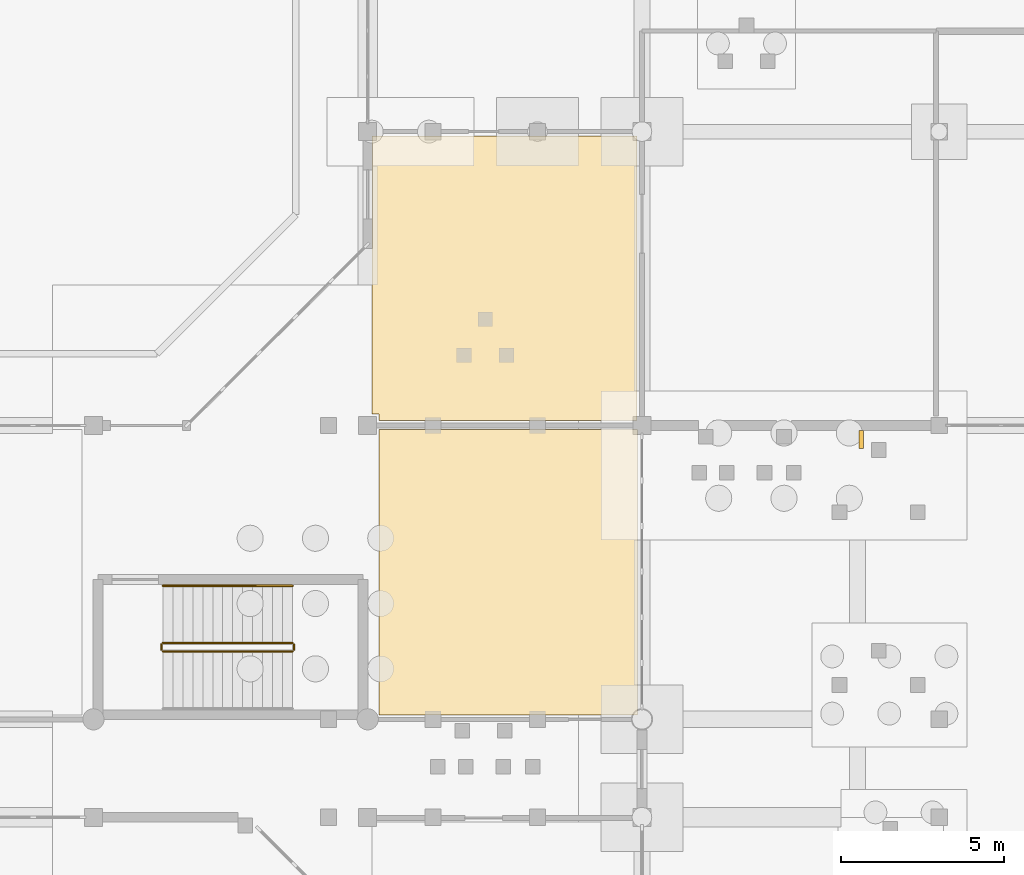
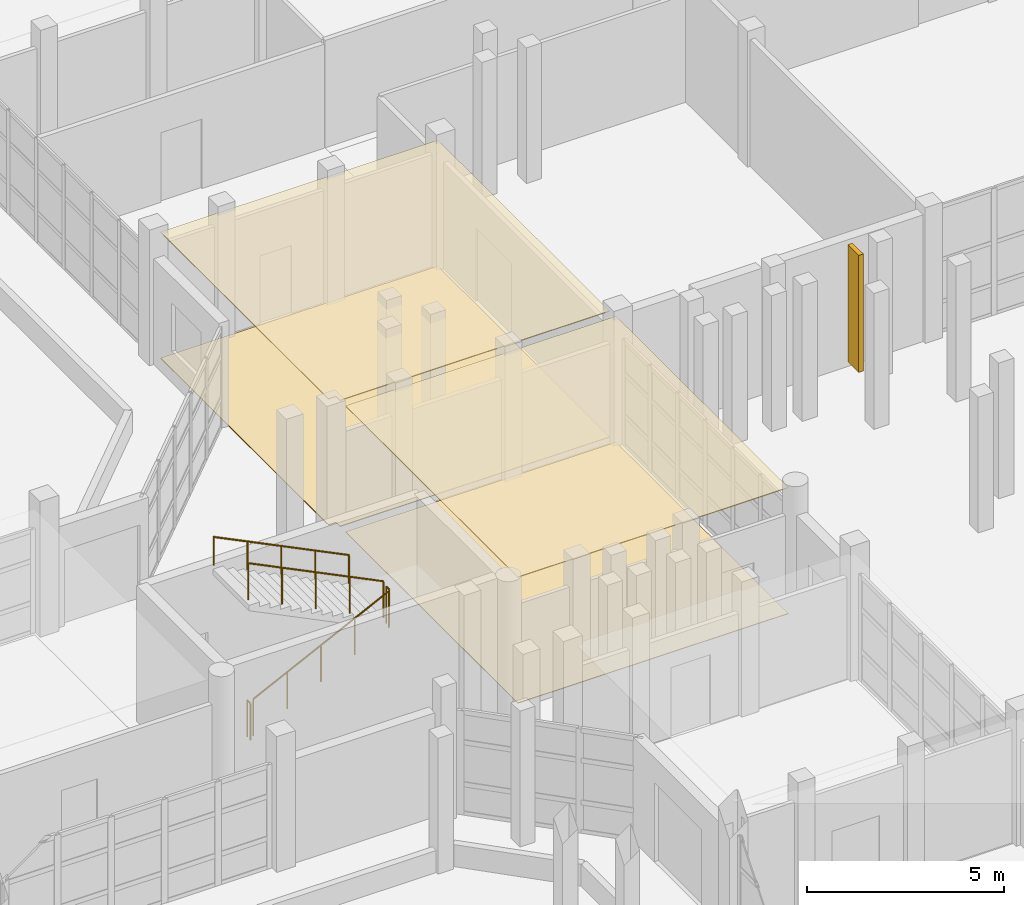
# One storey, part 79 of 88: 5 railings, 4 coverings, 1 shading device.
"""IFC4 building model written with IfcOpenShell, lengths in metres."""

from ifc_helpers import new_model, si_unit, direction, frame, origin, origin_2d, place, context, subcontext, project, spatial, polyline, rectangle, circle, outline, extrude, material, layer, layer_set, type_object, element, save


model = new_model("IFC4")

# Units and contexts
model_context = context("Model", 3, precision=1e-05, world=origin(), true_north=direction((0.0, 1.0)))
body_context = subcontext(model_context, "Body", "Model", "MODEL_VIEW")
ifc_project = project(units=[si_unit("LENGTHUNIT", "METRE"), si_unit("AREAUNIT", "SQUARE_METRE"), si_unit("VOLUMEUNIT", "CUBIC_METRE"), si_unit("PLANEANGLEUNIT", "RADIAN"), si_unit("MASSUNIT", "GRAM", prefix="KILO")], contexts=[model_context])

# Site, building, storey
site_placement = place(None, origin())
site = spatial("IfcSite", under=ifc_project, at=site_placement, CompositionType="ELEMENT")
building_placement = place(site_placement, origin())
building = spatial("IfcBuilding", under=site, at=building_placement, Name="Vanh Quang Courtyard School", CompositionType="ELEMENT")
storey_placement = place(building_placement, origin())
storey = spatial("IfcBuildingStorey", under=building, at=storey_placement, Name="L00", CompositionType="ELEMENT", Elevation=0.0)

# Coverings
ifc_material_1 = material(Name="Perforated mineral-fibre acoustic ceiling board")
ifc_layer_1 = layer(ifc_material_1, 0.02490234375)
ifc_layer_set_1 = layer_set([ifc_layer_1], Name="Perforated mineral-fibre acoustic ceiling board")
covering_type_1 = type_object("IfcCoveringType", Name="COV-CEIL-ACOUSTIC", PredefinedType="CEILING", material=ifc_layer_set_1)
covering_1_placement = place(storey_placement, frame((0.0, 0.0, 3.89501953125)))
element("IfcCovering", 1, at=covering_1_placement, inside=storey, type_object=covering_type_1, Name="Covering CV-CL1 (L00)", PredefinedType="CEILING", context=body_context, shape_type="SweptSolid", body=[
    extrude(outline(polyline([(111.35009765625, 32.530029296875), (111.35009765625, 41.27001953125), (119.260009765625, 41.27001953125), (119.260986328125, 41.27001953125), (119.261962890625, 41.269775390625), (119.262939453125, 41.26953125), (119.263916015625, 41.269287109375), (119.2646484375, 41.268798828125), (119.265625, 41.268310546875), (119.266357421875, 41.267578125), (119.26708984375, 41.26708984375), (119.267578125, 41.266357421875), (119.268310546875, 41.265625), (119.268798828125, 41.2646484375), (119.269287109375, 41.263916015625), (119.26953125, 41.262939453125), (119.269775390625, 41.261962890625), (119.27001953125, 41.260986328125), (119.27001953125, 41.260009765625), (119.27001953125, 32.5400390625), (119.27001953125, 32.5390625), (119.269775390625, 32.5380859375), (119.26953125, 32.537109375), (119.269287109375, 32.5361328125), (119.268798828125, 32.535400390625), (119.268310546875, 32.534423828125), (119.267578125, 32.53369140625), (119.26708984375, 32.532958984375), (119.266357421875, 32.5322265625), (119.265625, 32.53173828125), (119.2646484375, 32.53125), (119.263916015625, 32.53076171875), (119.262939453125, 32.530517578125), (119.261962890625, 32.5302734375), (119.260986328125, 32.530029296875), (119.260009765625, 32.530029296875), (111.35009765625, 32.530029296875)])), origin(), (0.0, 0.0, 1.0), 0.02490234375),
])
covering_2_placement = place(storey_placement, frame((0.0, 0.0, 3.89501953125)))
element("IfcCovering", 2, at=covering_2_placement, inside=storey, type_object=covering_type_1, Name="Covering CV-CL1 (L00)", PredefinedType="CEILING", context=body_context, shape_type="SweptSolid", body=[
    extrude(outline(polyline([(111.35009765625, 41.550048828125), (111.35009765625, 41.75), (111.1298828125, 41.75), (111.1298828125, 50.260009765625), (111.1298828125, 50.260986328125), (111.130126953125, 50.261962890625), (111.13037109375, 50.262939453125), (111.130859375, 50.263916015625), (111.131103515625, 50.2646484375), (111.131591796875, 50.265625), (111.13232421875, 50.266357421875), (111.1328125, 50.26708984375), (111.1337890625, 50.267578125), (111.134521484375, 50.268310546875), (111.13525390625, 50.268798828125), (111.13623046875, 50.269287109375), (111.13720703125, 50.26953125), (111.137939453125, 50.269775390625), (111.138916015625, 50.27001953125), (111.139892578125, 50.27001953125), (119.239990234375, 50.27001953125), (119.240966796875, 50.27001953125), (119.241943359375, 50.269775390625), (119.242919921875, 50.26953125), (119.243896484375, 50.269287109375), (119.24462890625, 50.268798828125), (119.24560546875, 50.268310546875), (119.246337890625, 50.267578125), (119.2470703125, 50.26708984375), (119.247802734375, 50.266357421875), (119.248291015625, 50.265625), (119.248779296875, 50.2646484375), (119.249267578125, 50.263916015625), (119.24951171875, 50.262939453125), (119.249755859375, 50.261962890625), (119.25, 50.260986328125), (119.25, 50.260009765625), (119.25, 41.56005859375), (119.25, 41.55908203125), (119.249755859375, 41.55810546875), (119.24951171875, 41.55712890625), (119.249267578125, 41.55615234375), (119.248779296875, 41.555419921875), (119.248291015625, 41.554443359375), (119.247802734375, 41.5537109375), (119.2470703125, 41.552978515625), (119.246337890625, 41.55224609375), (119.24560546875, 41.5517578125), (119.24462890625, 41.55126953125), (119.243896484375, 41.55078125), (119.242919921875, 41.55029296875), (119.241943359375, 41.55029296875), (119.240966796875, 41.550048828125), (119.239990234375, 41.550048828125), (111.35009765625, 41.550048828125)])), origin(), (0.0, 0.0, 1.0), 0.02490234375),
])
ifc_material_2 = material(Name="Polished cementitious terrazzo tile", Category="concrete")
ifc_layer_2 = layer(ifc_material_2, 0.02001953125)
ifc_layer_set_2 = layer_set([ifc_layer_2], Name="Polished cementitious terrazzo tile")
covering_type_2 = type_object("IfcCoveringType", Name="COV-FLR-TERRAZZO", PredefinedType="FLOORING", material=ifc_layer_set_2)
covering_3_placement = place(storey_placement, origin())
element("IfcCovering", 3, at=covering_3_placement, inside=storey, type_object=covering_type_2, Name="Covering CV-FL1 (L00)", PredefinedType="FLOORING", context=body_context, shape_type="SweptSolid", body=[
    extrude(outline(polyline([(111.35009765625, 32.530029296875), (111.35009765625, 41.27001953125), (119.260009765625, 41.27001953125), (119.260986328125, 41.27001953125), (119.261962890625, 41.269775390625), (119.262939453125, 41.26953125), (119.263916015625, 41.269287109375), (119.2646484375, 41.268798828125), (119.265625, 41.268310546875), (119.266357421875, 41.267578125), (119.26708984375, 41.26708984375), (119.267578125, 41.266357421875), (119.268310546875, 41.265625), (119.268798828125, 41.2646484375), (119.269287109375, 41.263916015625), (119.26953125, 41.262939453125), (119.269775390625, 41.261962890625), (119.27001953125, 41.260986328125), (119.27001953125, 41.260009765625), (119.27001953125, 32.5400390625), (119.27001953125, 32.5390625), (119.269775390625, 32.5380859375), (119.26953125, 32.537109375), (119.269287109375, 32.5361328125), (119.268798828125, 32.535400390625), (119.268310546875, 32.534423828125), (119.267578125, 32.53369140625), (119.26708984375, 32.532958984375), (119.266357421875, 32.5322265625), (119.265625, 32.53173828125), (119.2646484375, 32.53125), (119.263916015625, 32.53076171875), (119.262939453125, 32.530517578125), (119.261962890625, 32.5302734375), (119.260986328125, 32.530029296875), (119.260009765625, 32.530029296875), (111.35009765625, 32.530029296875)])), origin(), (0.0, 0.0, 1.0), 0.02001953125),
])
covering_4_placement = place(storey_placement, origin())
element("IfcCovering", 4, at=covering_4_placement, inside=storey, type_object=covering_type_2, Name="Covering CV-FL1 (L00)", PredefinedType="FLOORING", context=body_context, shape_type="SweptSolid", body=[
    extrude(outline(polyline([(111.35009765625, 41.550048828125), (111.35009765625, 41.75), (111.1298828125, 41.75), (111.1298828125, 50.260009765625), (111.1298828125, 50.260986328125), (111.130126953125, 50.261962890625), (111.13037109375, 50.262939453125), (111.130859375, 50.263916015625), (111.131103515625, 50.2646484375), (111.131591796875, 50.265625), (111.13232421875, 50.266357421875), (111.1328125, 50.26708984375), (111.1337890625, 50.267578125), (111.134521484375, 50.268310546875), (111.13525390625, 50.268798828125), (111.13623046875, 50.269287109375), (111.13720703125, 50.26953125), (111.137939453125, 50.269775390625), (111.138916015625, 50.27001953125), (111.139892578125, 50.27001953125), (119.239990234375, 50.27001953125), (119.240966796875, 50.27001953125), (119.241943359375, 50.269775390625), (119.242919921875, 50.26953125), (119.243896484375, 50.269287109375), (119.24462890625, 50.268798828125), (119.24560546875, 50.268310546875), (119.246337890625, 50.267578125), (119.2470703125, 50.26708984375), (119.247802734375, 50.266357421875), (119.248291015625, 50.265625), (119.248779296875, 50.2646484375), (119.249267578125, 50.263916015625), (119.24951171875, 50.262939453125), (119.249755859375, 50.261962890625), (119.25, 50.260986328125), (119.25, 50.260009765625), (119.25, 41.56005859375), (119.25, 41.55908203125), (119.249755859375, 41.55810546875), (119.24951171875, 41.55712890625), (119.249267578125, 41.55615234375), (119.248779296875, 41.555419921875), (119.248291015625, 41.554443359375), (119.247802734375, 41.5537109375), (119.2470703125, 41.552978515625), (119.246337890625, 41.55224609375), (119.24560546875, 41.5517578125), (119.24462890625, 41.55126953125), (119.243896484375, 41.55078125), (119.242919921875, 41.55029296875), (119.241943359375, 41.55029296875), (119.240966796875, 41.550048828125), (119.239990234375, 41.550048828125), (111.35009765625, 41.550048828125)])), origin(), (0.0, 0.0, 1.0), 0.02001953125),
])

# Railings
ifc_material_3 = material(Name="Galvanised painted steel EN 10025-2 S355J2", Category="steel")
railing_type_1 = type_object("IfcRailingType", Name="RAIL-GUARD-1150", PredefinedType="BALUSTRADE", material=ifc_material_3)
railing_1_placement = place(storey_placement, frame((104.72998046875, 34.47998046875, 0.14990234375)))
element("IfcRailing", 5, at=railing_1_placement, inside=storey, type_object=railing_type_1, Name="L00 ST-08 stair guard 1", PredefinedType="BALUSTRADE", context=body_context, shape_type="SweptSolid", body=[
    extrude(circle(Radius=0.02392578125, at=origin_2d()), frame((0.0, 0.0, 1.1259765625), z_axis=(0.897336335206, 0.0, 0.441347370582), x_axis=(0.0, 1.0, 0.0)), (0.0, 0.0, 1.0), 4.418701171875),
    extrude(circle(Radius=0.02099609375, at=origin_2d()), origin(), (0.0, 0.0, 1.0), 1.101806640625),
    extrude(circle(Radius=0.02099609375, at=origin_2d()), frame((0.9912109375, 0.0, 0.487548828125)), (0.0, 0.0, 1.0), 1.101806640625),
    extrude(circle(Radius=0.02099609375, at=origin_2d()), frame((1.982421875, 0.0, 0.97509765625)), (0.0, 0.0, 1.0), 1.101806640625),
    extrude(circle(Radius=0.02099609375, at=origin_2d()), frame((2.973876953125, 0.0, 1.462646484375)), (0.0, 0.0, 1.0), 1.101806640625),
    extrude(circle(Radius=0.02099609375, at=origin_2d()), frame((3.965087890625, 0.0, 1.9501953125)), (0.0, 0.0, 1.0), 1.101806640625),
])
railing_2_placement = place(storey_placement, frame((108.7451171875, 34.530029296875, 2.10009765625)))
element("IfcRailing", 6, at=railing_2_placement, inside=storey, type_object=railing_type_1, Name="L00 ST-08 stair guard 2", PredefinedType="BALUSTRADE", context=body_context, shape_type="SweptSolid", body=[
    extrude(circle(Radius=0.02392578125, at=origin_2d()), frame((0.0, 0.0, 1.1259765625), z_axis=(0.0, 1.0, 0.0), x_axis=(-1.0, 0.0, 0.0)), (0.0, 0.0, 1.0), 0.159912109375),
    extrude(circle(Radius=0.02099609375, at=origin_2d()), origin(), (0.0, 0.0, 1.0), 1.101806640625),
    extrude(circle(Radius=0.02099609375, at=origin_2d()), frame((0.0, 0.159912109375, 0.0)), (0.0, 0.0, 1.0), 1.101806640625),
])
railing_3_placement = place(storey_placement, frame((108.695068359375, 34.739990234375, 2.25)))
element("IfcRailing", 7, at=railing_3_placement, inside=storey, type_object=railing_type_1, Name="L00 ST-08 stair guard 3", PredefinedType="BALUSTRADE", context=body_context, shape_type="SweptSolid", body=[
    extrude(circle(Radius=0.02392578125, at=origin_2d()), frame((0.0, 0.0, 1.1259765625), z_axis=(-0.897358216196, 0.0, 0.441302879919), x_axis=(0.0, -1.0, 0.0)), (0.0, 0.0, 1.0), 4.418701171875),
    extrude(circle(Radius=0.02099609375, at=origin_2d()), origin(), (0.0, 0.0, 1.0), 1.101806640625),
    extrude(circle(Radius=0.02099609375, at=origin_2d()), frame((-0.9912109375, 0.0, 0.487548828125)), (0.0, 0.0, 1.0), 1.101806640625),
    extrude(circle(Radius=0.02099609375, at=origin_2d()), frame((-1.982421875, 0.0, 0.97509765625)), (0.0, 0.0, 1.0), 1.101806640625),
    extrude(circle(Radius=0.02099609375, at=origin_2d()), frame((-2.973876953125, 0.0, 1.46240234375)), (0.0, 0.0, 1.0), 1.101806640625),
    extrude(circle(Radius=0.02099609375, at=origin_2d()), frame((-3.965087890625, 0.0, 1.949951171875)), (0.0, 0.0, 1.0), 1.101806640625),
])
railing_4_placement = place(storey_placement, frame((104.679931640625, 34.530029296875, 0.0)))
element("IfcRailing", 8, at=railing_4_placement, inside=storey, type_object=railing_type_1, Name="L00 ST-08 stair guard 4", PredefinedType="BALUSTRADE", context=body_context, shape_type="SweptSolid", body=[
    extrude(circle(Radius=0.02392578125, at=origin_2d()), frame((0.0, 0.0, 1.1259765625), z_axis=(0.0, 1.0, 0.0), x_axis=(-1.0, 0.0, 0.0)), (0.0, 0.0, 1.0), 0.159912109375),
    extrude(circle(Radius=0.02099609375, at=origin_2d()), origin(), (0.0, 0.0, 1.0), 1.101806640625),
    extrude(circle(Radius=0.02099609375, at=origin_2d()), frame((0.0, 0.159912109375, 0.0)), (0.0, 0.0, 1.0), 1.101806640625),
])
ifc_material_4 = material(Name="Brushed stainless steel", Category="steel")
railing_type_2 = type_object("IfcRailingType", Name="RAIL-HAND-900", PredefinedType="HANDRAIL", material=ifc_material_4)
railing_5_placement = place(storey_placement, frame((108.695068359375, 36.489990234375, 2.25)))
element("IfcRailing", 9, at=railing_5_placement, inside=storey, type_object=railing_type_2, Name="L00 ST-08 stair handrail 2", PredefinedType="HANDRAIL", context=body_context, shape_type="SweptSolid", body=[
    extrude(circle(Radius=0.02392578125, at=origin_2d()), frame((0.0, 0.0, 0.8759765625), z_axis=(-0.897358216196, 0.0, 0.441302879919), x_axis=(0.0, -1.0, 0.0)), (0.0, 0.0, 1.0), 4.418701171875),
    extrude(circle(Radius=0.02099609375, at=origin_2d()), origin(), (0.0, 0.0, 1.0), 0.851806640625),
    extrude(circle(Radius=0.02099609375, at=origin_2d()), frame((-0.9912109375, 0.0, 0.487548828125)), (0.0, 0.0, 1.0), 0.851806640625),
    extrude(circle(Radius=0.02099609375, at=origin_2d()), frame((-1.982421875, 0.0, 0.97509765625)), (0.0, 0.0, 1.0), 0.851806640625),
    extrude(circle(Radius=0.02099609375, at=origin_2d()), frame((-2.973876953125, 0.0, 1.46240234375)), (0.0, 0.0, 1.0), 0.851806640625),
    extrude(circle(Radius=0.02099609375, at=origin_2d()), frame((-3.965087890625, 0.0, 1.949951171875)), (0.0, 0.0, 1.0), 0.851806640625),
])

# Shading device
ifc_material_5 = material(Name="Board-marked precast concrete C40/50", Category="concrete")
shading_device_type = type_object("IfcShadingDeviceType", Name="SHD-FIN-CONCRETE", PredefinedType="USERDEFINED", material=ifc_material_5)
shading_device_placement = place(storey_placement, frame((126.112548828125, 40.97509765625, 0.14990234375), z_axis=(0.0, 0.0, 1.0), x_axis=(-1.0, 0.0, 0.0)))
element("IfcShadingDevice", 10, at=shading_device_placement, inside=storey, type_object=shading_device_type, Name="Solar Shading SH-02 (L00)", ObjectType="Solar Shading SH-02 (L00)", PredefinedType="USERDEFINED", context=body_context, shape_type="SweptSolid", body=[
    extrude(rectangle(XDim=0.139892578125, YDim=0.550048828125, at=origin_2d()), origin(), (0.0, 0.0, 1.0), 3.6201171875),
])

save(model, "model.ifc")
